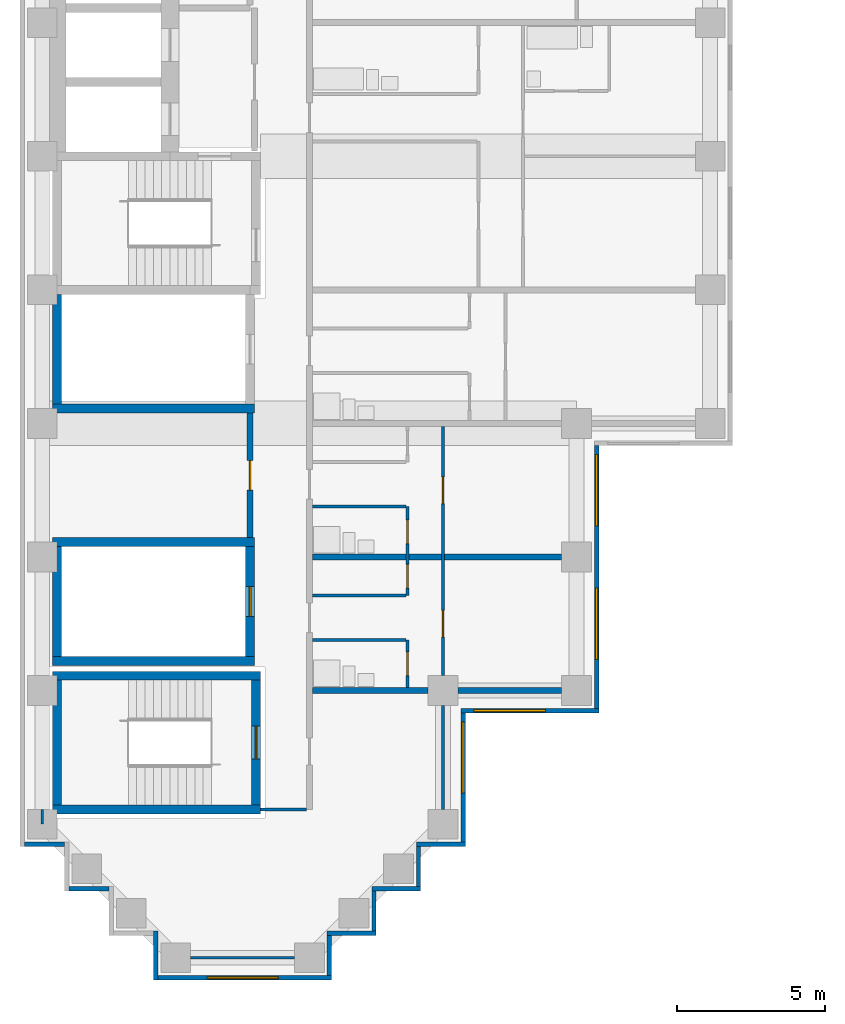
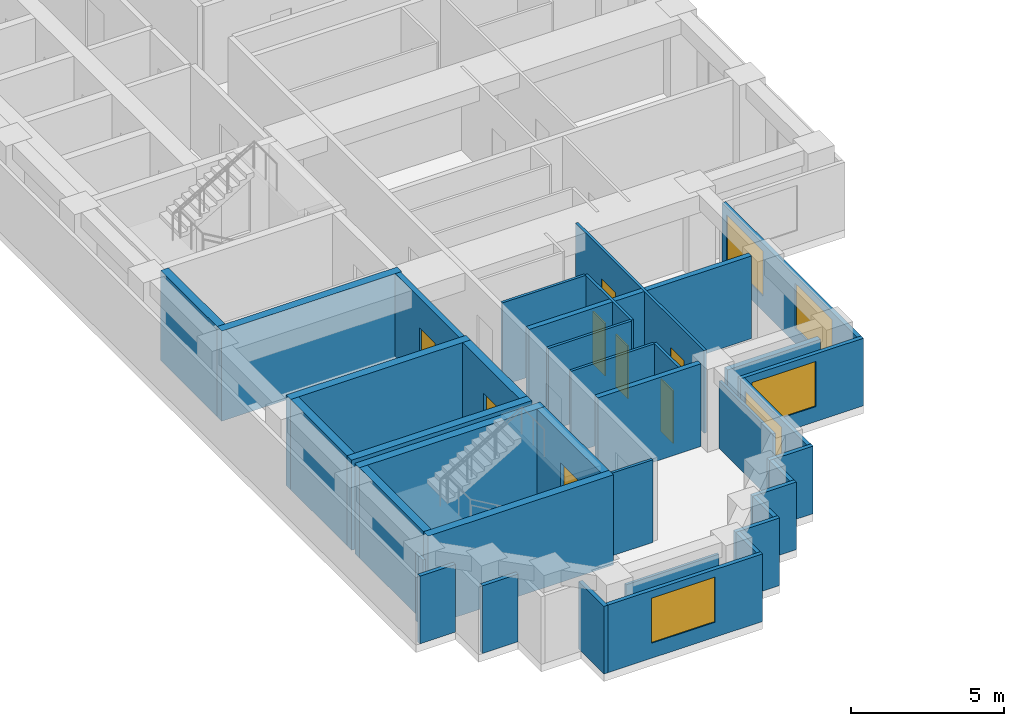
# One storey, part 2 of 12: 37 walls, 8 doors, 5 windows, 13 openings.
"""IFC4 building model written with IfcOpenShell, lengths in metres."""

from ifc_helpers import new_model, si_unit, direction, frame, frame_2d, origin, place, context, subcontext, project, spatial, rectangle, extrude, material, layer, layer_set, type_object, element, fill, save


model = new_model("IFC4")

# Units and contexts
model_context = context("Model", 3, precision=1e-05, world=origin(), true_north=direction((0.0, 1.0)))
body_context = subcontext(model_context, "Body", "Model", "MODEL_VIEW")
ifc_project = project(units=[si_unit("LENGTHUNIT", "METRE"), si_unit("AREAUNIT", "SQUARE_METRE"), si_unit("VOLUMEUNIT", "CUBIC_METRE"), si_unit("PLANEANGLEUNIT", "RADIAN"), si_unit("MASSUNIT", "GRAM", prefix="KILO")], contexts=[model_context])

# Site, building, storey
site_placement = place(None, origin())
site = spatial("IfcSite", under=ifc_project, at=site_placement, CompositionType="ELEMENT")
building_placement = place(site_placement, origin())
building = spatial("IfcBuilding", under=site, at=building_placement, Name="Firuza Court", CompositionType="ELEMENT")
storey_placement = place(building_placement, frame((0.0, 0.0, 152.0)))
storey = spatial("IfcBuildingStorey", under=building, at=storey_placement, Name="L38", CompositionType="ELEMENT", Elevation=152.0)

# Walls
ifc_material_1 = material(Name="Moisture-resistant gypsum board partition")
ifc_layer_1 = layer(ifc_material_1, 0.10009765625)
ifc_layer_set_1 = layer_set([ifc_layer_1], Name="Moisture-resistant gypsum board partition")
wall_type_1 = type_object("IfcWallType", Name="Bathroom partition 100", PredefinedType="PLUMBINGWALL", material=ifc_layer_set_1)
for number, where, z_axis, x_axis, name in (
    (1, (9.10009765625, 10.699951171875, 0.0), (0.0, 0.0, 1.0), (1.0, 0.0, 0.0), "Bathroom partition 100 L38"),
    (2, (9.10009765625, 15.199951171875, 0.0), (0.0, 0.0, 1.0), (1.0, 0.0, 0.0), "Bathroom partition 100 L38"),
):
    element("IfcWall", number, at=place(storey_placement, frame(where, z_axis=z_axis, x_axis=x_axis)), inside=storey, type_object=wall_type_1, Name=name, PredefinedType="PLUMBINGWALL", context=body_context, shape_type="SweptSolid", body=[
        extrude(rectangle(XDim=3.14990234375, YDim=0.10009765625, at=frame_2d((1.574951171875, 0.0))), origin(), (0.0, 0.0, 1.0), 3.300048828125),
    ])
ifc_material_2 = material(Name="Concrete C60/75", Category="concrete")
ifc_layer_2 = layer(ifc_material_2, 0.300048828125)
ifc_layer_set_2 = layer_set([ifc_layer_2], Name="Concrete C60/75")
wall_type_2 = type_object("IfcWallType", Name="Core wall 300 C60/75", PredefinedType="SHEAR", material=ifc_layer_set_2)
for number, where, z_axis, x_axis, name in (
    (3, (0.35009765625, 5.0, -0.300048828125), (0.0, 0.0, 1.0), (1.0, 0.0, 0.0), "Core wall stair L38"),
    (4, (0.35009765625, 9.5, -0.300048828125), (0.0, 0.0, 1.0), (1.0, 0.0, 0.0), "Core wall stair L38"),
):
    element("IfcWall", number, at=place(storey_placement, frame(where, z_axis=z_axis, x_axis=x_axis)), inside=storey, type_object=wall_type_2, Name=name, PredefinedType="SHEAR", context=body_context, shape_type="SweptSolid", body=[
        extrude(rectangle(XDim=7.0, YDim=0.300048828125, at=frame_2d((3.5, 0.0))), origin(), (0.0, 0.0, 1.0), 3.60009765625),
    ])
for number, where, z_axis, x_axis, name in (
    (5, (0.35009765625, 10.0, -0.300048828125), (0.0, 0.0, 1.0), (1.0, 0.0, 0.0), "Core wall riser L38"),
    (6, (0.35009765625, 14.0, -0.300048828125), (0.0, 0.0, 1.0), (1.0, 0.0, 0.0), "Core wall riser L38"),
    (7, (0.35009765625, 18.5, -0.300048828125), (0.0, 0.0, 1.0), (1.0, 0.0, 0.0), "Core wall riser L38"),
):
    element("IfcWall", number, at=place(storey_placement, frame(where, z_axis=z_axis, x_axis=x_axis)), inside=storey, type_object=wall_type_2, Name=name, PredefinedType="SHEAR", context=body_context, shape_type="SweptSolid", body=[
        extrude(rectangle(XDim=6.7998046875, YDim=0.300048828125, at=frame_2d((3.39990234375, 0.0))), origin(), (0.0, 0.0, 1.0), 3.60009765625),
    ])
wall_1_placement = place(storey_placement, frame((0.5, 5.14990234375, -0.300048828125), z_axis=(0.0, 0.0, 1.0), x_axis=(0.0, 1.0, 0.0)))
element("IfcWall", 8, at=wall_1_placement, inside=storey, type_object=wall_type_2, Name="Core wall stair L38", PredefinedType="SHEAR", context=body_context, shape_type="SweptSolid", body=[
    extrude(rectangle(XDim=4.2001953125, YDim=0.300048828125, at=frame_2d((2.10009765625, 0.0))), origin(), (0.0, 0.0, 1.0), 3.60009765625),
])
for number, where, z_axis, x_axis, name in (
    (9, (0.5, 10.14990234375, -0.300048828125), (0.0, 0.0, 1.0), (0.0, 1.0, 0.0), "Core wall riser L38"),
    (10, (0.5, 18.64990234375, -0.300048828125), (0.0, 0.0, 1.0), (0.0, 1.0, 0.0), "Core wall riser L38"),
):
    element("IfcWall", number, at=place(storey_placement, frame(where, z_axis=z_axis, x_axis=x_axis)), inside=storey, type_object=wall_type_2, Name=name, PredefinedType="SHEAR", context=body_context, shape_type="SweptSolid", body=[
        extrude(rectangle(XDim=3.7001953125, YDim=0.300048828125, at=frame_2d((1.85009765625, 0.0))), origin(), (0.0, 0.0, 1.0), 3.60009765625),
    ])

# Wall, opening, door
wall_2_placement = place(storey_placement, frame((7.0, 10.14990234375, -0.300048828125), z_axis=(0.0, 0.0, 1.0), x_axis=(0.0, 1.0, 0.0)))
wall_2 = element("IfcWall", 11, at=wall_2_placement, inside=storey, type_object=wall_type_2, Name="Core wall riser L38", PredefinedType="SHEAR", context=body_context, shape_type="SweptSolid", body=[
    extrude(rectangle(XDim=3.7001953125, YDim=0.300048828125, at=frame_2d((1.85009765625, 0.0))), origin(), (0.0, 0.0, 1.0), 3.60009765625),
])
opening_1_placement = place(wall_2_placement, frame((1.35009765625, 0.0, 0.300048828125)))
opening_1 = element("IfcOpeningElement", 12, at=opening_1_placement, cuts=wall_2, Name="Opening D38011", PredefinedType="OPENING", context=body_context, shape_type="SweptSolid", body=[
    extrude(rectangle(XDim=1.0, YDim=2.10009765625, at=frame_2d((0.5, 1.050048828125))), frame((0.0, 0.162109375, 0.0), z_axis=(0.0, -1.0, 0.0), x_axis=(1.0, 0.0, 0.0)), (0.0, 0.0, 1.0), 0.323974609375),
])
ifc_material_3 = material(Name="Timber door leaf in hardwood frame", Category="wood")
door_type_1 = type_object("IfcDoorType", Name="Riser door 1000", OperationType="SINGLE_SWING_LEFT", PredefinedType="DOOR", material=ifc_material_3)
door_1_placement = place(opening_1_placement, origin())
door_1 = element("IfcDoor", 13, at=door_1_placement, inside=storey, type_object=door_type_1, Name="Riser door R4", OperationType="SINGLE_SWING_LEFT", OverallHeight=2.10009765625, OverallWidth=1.0, PredefinedType="DOOR", context=body_context, shape_type="SweptSolid", body=[
    extrude(rectangle(XDim=1.0, YDim=2.10009765625, at=frame_2d((0.5, 1.050048828125))), frame((0.0, 0.02490234375, 0.0), z_axis=(0.0, -1.0, 0.0), x_axis=(1.0, 0.0, 0.0)), (0.0, 0.0, 1.0), 0.050048828125),
])
fill(opening_1, door_1)

wall_3_placement = place(storey_placement, frame((7.199951171875, 5.14990234375, -0.300048828125), z_axis=(0.0, 0.0, 1.0), x_axis=(0.0, 1.0, 0.0)))
wall_3 = element("IfcWall", 14, at=wall_3_placement, inside=storey, type_object=wall_type_2, Name="Core wall stair L38", PredefinedType="SHEAR", context=body_context, shape_type="SweptSolid", body=[
    extrude(rectangle(XDim=4.2001953125, YDim=0.300048828125, at=frame_2d((2.10009765625, 0.0))), origin(), (0.0, 0.0, 1.0), 3.60009765625),
])
opening_2_placement = place(wall_3_placement, frame((1.550048828125, 0.0, 0.300048828125)))
opening_2 = element("IfcOpeningElement", 15, at=opening_2_placement, cuts=wall_3, Name="Opening D38017", PredefinedType="OPENING", context=body_context, shape_type="SweptSolid", body=[
    extrude(rectangle(XDim=1.10009765625, YDim=2.10009765625, at=frame_2d((0.550048828125, 1.050048828125))), frame((0.0, 0.162109375, 0.0), z_axis=(0.0, -1.0, 0.0), x_axis=(1.0, 0.0, 0.0)), (0.0, 0.0, 1.0), 0.323974609375),
])
ifc_material_4 = material(Name="Timber door leaf in hardwood frame", Category="wood")
door_type_2 = type_object("IfcDoorType", Name="Stair door 1100", OperationType="SINGLE_SWING_LEFT", PredefinedType="DOOR", material=ifc_material_4)
door_2_placement = place(opening_2_placement, origin())
door_2 = element("IfcDoor", 16, at=door_2_placement, inside=storey, type_object=door_type_2, Name="Stair door S5", OperationType="SINGLE_SWING_LEFT", OverallHeight=2.10009765625, OverallWidth=1.10009765625, PredefinedType="DOOR", context=body_context, shape_type="SweptSolid", body=[
    extrude(rectangle(XDim=1.10009765625, YDim=2.10009765625, at=frame_2d((0.550048828125, 1.050048828125))), frame((0.0, 0.02490234375, 0.0), z_axis=(0.0, -1.0, 0.0), x_axis=(1.0, 0.0, 0.0)), (0.0, 0.0, 1.0), 0.050048828125),
])
fill(opening_2, door_2)

ifc_material_5 = material(Name="Blockwork, plastered both sides", Category="masonry")
ifc_layer_3 = layer(ifc_material_5, 0.199951171875)
ifc_layer_set_3 = layer_set([ifc_layer_3], Name="Blockwork, plastered both sides")
wall_type_3 = type_object("IfcWallType", Name="Corridor wall 200", PredefinedType="PARTITIONING", material=ifc_layer_set_3)
wall_4_placement = place(storey_placement, frame((7.0, 14.14990234375, 0.0), z_axis=(0.0, 0.0, 1.0), x_axis=(0.0, 1.0, 0.0)))
wall_4 = element("IfcWall", 17, at=wall_4_placement, inside=storey, type_object=wall_type_3, Name="Corridor wall 200 L38", PredefinedType="PARTITIONING", context=body_context, shape_type="SweptSolid", body=[
    extrude(rectangle(XDim=4.2001953125, YDim=0.199951171875, at=frame_2d((2.10009765625, 0.0))), origin(), (0.0, 0.0, 1.0), 3.300048828125),
])
opening_3_placement = place(wall_4_placement, frame((1.60009765625, 0.0, 0.0)))
opening_3 = element("IfcOpeningElement", 18, at=opening_3_placement, cuts=wall_4, Name="Opening D38028", PredefinedType="OPENING", context=body_context, shape_type="SweptSolid", body=[
    extrude(rectangle(XDim=1.0, YDim=2.10009765625, at=frame_2d((0.5, 1.050048828125))), frame((0.0, 0.11181640625, 0.0), z_axis=(0.0, -1.0, 0.0), x_axis=(1.0, 0.0, 0.0)), (0.0, 0.0, 1.0), 0.223876953125),
])
ifc_material_6 = material(Name="Timber door leaf in hardwood frame", Category="wood")
door_type_3 = type_object("IfcDoorType", Name="Store door 1000", OperationType="SINGLE_SWING_LEFT", PredefinedType="DOOR", material=ifc_material_6)
door_3_placement = place(opening_3_placement, origin())
door_3 = element("IfcDoor", 19, at=door_3_placement, inside=storey, type_object=door_type_3, Name="Parcel room door", OperationType="SINGLE_SWING_LEFT", OverallHeight=2.10009765625, OverallWidth=1.0, PredefinedType="DOOR", context=body_context, shape_type="SweptSolid", body=[
    extrude(rectangle(XDim=1.0, YDim=2.10009765625, at=frame_2d((0.5, 1.050048828125))), frame((0.0, 0.02490234375, 0.0), z_axis=(0.0, -1.0, 0.0), x_axis=(1.0, 0.0, 0.0)), (0.0, 0.0, 1.0), 0.050048828125),
])
fill(opening_3, door_3)

# Walls
ifc_material_7 = material(Name="Timber stud partition, plasterboard both sides", Category="wood")
ifc_layer_4 = layer(ifc_material_7, 0.10009765625)
ifc_layer_set_4 = layer_set([ifc_layer_4], Name="Timber stud partition, plasterboard both sides")
wall_type_4 = type_object("IfcWallType", Name="Partition wall 100", PredefinedType="PARTITIONING", material=ifc_layer_set_4)
wall_5_placement = place(storey_placement, frame((5.0, 0.0, 0.0), z_axis=(0.0, 0.0, 1.0), x_axis=(1.0, 0.0, 0.0)))
element("IfcWall", 20, at=wall_5_placement, inside=storey, type_object=wall_type_4, Name="Partition wall 100 L38", PredefinedType="PARTITIONING", context=body_context, shape_type="SweptSolid", body=[
    extrude(rectangle(XDim=3.5, YDim=0.10009765625, at=frame_2d((1.75, 0.0))), origin(), (0.0, 0.0, 1.0), 2.699951171875),
])
wall_6_placement = place(storey_placement, frame((0.0, 4.5, 0.0), z_axis=(0.0, 0.0, 1.0), x_axis=(0.0, 1.0, 0.0)))
element("IfcWall", 21, at=wall_6_placement, inside=storey, type_object=wall_type_4, Name="Partition wall 100 L38", PredefinedType="PARTITIONING", context=body_context, shape_type="SweptSolid", body=[
    extrude(rectangle(XDim=0.5, YDim=0.10009765625, at=frame_2d((0.25, 0.0))), origin(), (0.0, 0.0, 1.0), 2.699951171875),
])
wall_7_placement = place(storey_placement, frame((7.34912109375, 5.0, 0.0), z_axis=(0.0, 0.0, 1.0), x_axis=(1.0, 0.0, 0.0)))
element("IfcWall", 22, at=wall_7_placement, inside=storey, type_object=wall_type_4, Name="Partition wall 100 L38", PredefinedType="PARTITIONING", context=body_context, shape_type="SweptSolid", body=[
    extrude(rectangle(XDim=1.55078125, YDim=0.10009765625, at=frame_2d((0.775390625, 0.0))), origin(), (0.0, 0.0, 1.0), 3.300048828125),
])
wall_8_placement = place(storey_placement, frame((13.5, 5.0, 0.0), z_axis=(0.0, 0.0, 1.0), x_axis=(0.0, 1.0, 0.0)))
element("IfcWall", 23, at=wall_8_placement, inside=storey, type_object=wall_type_4, Name="Partition wall 100 L38", PredefinedType="PARTITIONING", context=body_context, shape_type="SweptSolid", body=[
    extrude(rectangle(XDim=3.5, YDim=0.10009765625, at=frame_2d((1.75, 0.0))), origin(), (0.0, 0.0, 1.0), 2.699951171875),
])

# Wall, opening, door
wall_9_placement = place(storey_placement, frame((12.300048828125, 9.10009765625, 0.0), z_axis=(0.0, 0.0, 1.0), x_axis=(0.0, 1.0, 0.0)))
wall_9 = element("IfcWall", 24, at=wall_9_placement, inside=storey, type_object=wall_type_4, Name="Partition wall 100 L38", PredefinedType="PARTITIONING", context=body_context, shape_type="SweptSolid", body=[
    extrude(rectangle(XDim=1.599853515625, YDim=0.10009765625, at=frame_2d((0.7998046875, 0.0))), origin(), (0.0, 0.0, 1.0), 3.300048828125),
])
opening_4_placement = place(wall_9_placement, frame((0.39990234375, 0.0, 0.0)))
opening_4 = element("IfcOpeningElement", 25, at=opening_4_placement, cuts=wall_9, Name="Opening D38023", PredefinedType="OPENING", context=body_context, shape_type="SweptSolid", body=[
    extrude(rectangle(XDim=0.800048828125, YDim=2.10009765625, at=frame_2d((0.39990234375, 1.050048828125))), frame((0.0, 0.06201171875, 0.0), z_axis=(0.0, -1.0, 0.0), x_axis=(1.0, 0.0, 0.0)), (0.0, 0.0, 1.0), 0.1240234375),
])
ifc_material_8 = material(Name="Timber door leaf in hardwood frame", Category="wood")
door_type_4 = type_object("IfcDoorType", Name="Bathroom door 800", OperationType="SINGLE_SWING_LEFT", PredefinedType="DOOR", material=ifc_material_8)
door_4_placement = place(opening_4_placement, origin())
door_4 = element("IfcDoor", 26, at=door_4_placement, inside=storey, type_object=door_type_4, Name="Bathroom door", OperationType="SINGLE_SWING_RIGHT", OverallHeight=2.10009765625, OverallWidth=0.800048828125, PredefinedType="DOOR", context=body_context, shape_type="SweptSolid", body=[
    extrude(rectangle(XDim=0.800048828125, YDim=2.10009765625, at=frame_2d((0.39990234375, 1.050048828125))), frame((0.0, 0.02490234375, 0.0), z_axis=(0.0, -1.0, 0.0), x_axis=(1.0, 0.0, 0.0)), (0.0, 0.0, 1.0), 0.050048828125),
])
fill(opening_4, door_4)

# Wall, openings, doors
wall_10_placement = place(storey_placement, frame((13.5, 9.5, 0.0), z_axis=(0.0, 0.0, 1.0), x_axis=(0.0, 1.0, 0.0)))
wall_10 = element("IfcWall", 27, at=wall_10_placement, inside=storey, type_object=wall_type_4, Name="Partition wall 100 L38", PredefinedType="PARTITIONING", context=body_context, shape_type="SweptSolid", body=[
    extrude(rectangle(XDim=8.39990234375, YDim=0.10009765625, at=frame_2d((4.199951171875, 0.0))), origin(), (0.0, 0.0, 1.0), 3.300048828125),
])
opening_5_placement = place(wall_10_placement, frame((5.800048828125, 0.0, 0.0)))
opening_5 = element("IfcOpeningElement", 28, at=opening_5_placement, cuts=wall_10, Name="Opening D38024", PredefinedType="OPENING", context=body_context, shape_type="SweptSolid", body=[
    extrude(rectangle(XDim=0.89990234375, YDim=2.10009765625, at=frame_2d((0.449951171875, 1.050048828125))), frame((0.0, 0.06201171875, 0.0), z_axis=(0.0, -1.0, 0.0), x_axis=(1.0, 0.0, 0.0)), (0.0, 0.0, 1.0), 0.1240234375),
])
opening_6_placement = place(wall_10_placement, frame((1.300048828125, 0.0, 0.0)))
opening_6 = element("IfcOpeningElement", 29, at=opening_6_placement, cuts=wall_10, Name="Opening D38025", PredefinedType="OPENING", context=body_context, shape_type="SweptSolid", body=[
    extrude(rectangle(XDim=0.89990234375, YDim=2.10009765625, at=frame_2d((0.449951171875, 1.050048828125))), frame((0.0, 0.06201171875, 0.0), z_axis=(0.0, -1.0, 0.0), x_axis=(1.0, 0.0, 0.0)), (0.0, 0.0, 1.0), 0.1240234375),
])
ifc_material_9 = material(Name="Timber door leaf in hardwood frame", Category="wood")
door_type_5 = type_object("IfcDoorType", Name="Room door 900", OperationType="SINGLE_SWING_LEFT", PredefinedType="DOOR", material=ifc_material_9)
door_5_placement = place(opening_5_placement, frame((0.89990234375, 0.0, 0.0), z_axis=(0.0, 0.0, 1.0), x_axis=(-1.0, 0.0, 0.0)))
door_5 = element("IfcDoor", 30, at=door_5_placement, inside=storey, type_object=door_type_5, Name="Studio room door", OperationType="SINGLE_SWING_RIGHT", OverallHeight=2.10009765625, OverallWidth=0.89990234375, PredefinedType="DOOR", context=body_context, shape_type="SweptSolid", body=[
    extrude(rectangle(XDim=0.89990234375, YDim=2.10009765625, at=frame_2d((0.449951171875, 1.050048828125))), frame((0.0, 0.02490234375, 0.0), z_axis=(0.0, -1.0, 0.0), x_axis=(1.0, 0.0, 0.0)), (0.0, 0.0, 1.0), 0.050048828125),
])
fill(opening_5, door_5)
door_6_placement = place(opening_6_placement, frame((0.89990234375, 0.0, 0.0), z_axis=(0.0, 0.0, 1.0), x_axis=(-1.0, 0.0, 0.0)))
door_6 = element("IfcDoor", 31, at=door_6_placement, inside=storey, type_object=door_type_5, Name="Studio room door", OperationType="SINGLE_SWING_RIGHT", OverallHeight=2.10009765625, OverallWidth=0.89990234375, PredefinedType="DOOR", context=body_context, shape_type="SweptSolid", body=[
    extrude(rectangle(XDim=0.89990234375, YDim=2.10009765625, at=frame_2d((0.449951171875, 1.050048828125))), frame((0.0, 0.02490234375, 0.0), z_axis=(0.0, -1.0, 0.0), x_axis=(1.0, 0.0, 0.0)), (0.0, 0.0, 1.0), 0.050048828125),
])
fill(opening_6, door_6)

# Wall
wall_11_placement = place(storey_placement, frame((9.10009765625, 12.199951171875, 0.0), z_axis=(0.0, 0.0, 1.0), x_axis=(1.0, 0.0, 0.0)))
element("IfcWall", 32, at=wall_11_placement, inside=storey, type_object=wall_type_4, Name="Partition wall 100 L38", PredefinedType="PARTITIONING", context=body_context, shape_type="SweptSolid", body=[
    extrude(rectangle(XDim=3.14990234375, YDim=0.10009765625, at=frame_2d((1.574951171875, 0.0))), origin(), (0.0, 0.0, 1.0), 3.300048828125),
])

# Wall, openings, doors
wall_12_placement = place(storey_placement, frame((12.300048828125, 12.199951171875, 0.0), z_axis=(0.0, 0.0, 1.0), x_axis=(0.0, 1.0, 0.0)))
wall_12 = element("IfcWall", 33, at=wall_12_placement, inside=storey, type_object=wall_type_4, Name="Partition wall 100 L38", PredefinedType="PARTITIONING", context=body_context, shape_type="SweptSolid", body=[
    extrude(rectangle(XDim=3.0, YDim=0.10009765625, at=frame_2d((1.5, 0.0))), origin(), (0.0, 0.0, 1.0), 3.300048828125),
])
opening_7_placement = place(wall_12_placement, frame((1.75, 0.0, 0.0)))
opening_7 = element("IfcOpeningElement", 34, at=opening_7_placement, cuts=wall_12, Name="Opening D38026", PredefinedType="OPENING", context=body_context, shape_type="SweptSolid", body=[
    extrude(rectangle(XDim=0.800048828125, YDim=2.10009765625, at=frame_2d((0.39990234375, 1.050048828125))), frame((0.0, 0.06201171875, 0.0), z_axis=(0.0, -1.0, 0.0), x_axis=(1.0, 0.0, 0.0)), (0.0, 0.0, 1.0), 0.1240234375),
])
opening_8_placement = place(wall_12_placement, frame((0.25, 0.0, 0.0)))
opening_8 = element("IfcOpeningElement", 35, at=opening_8_placement, cuts=wall_12, Name="Opening D38027", PredefinedType="OPENING", context=body_context, shape_type="SweptSolid", body=[
    extrude(rectangle(XDim=0.800048828125, YDim=2.10009765625, at=frame_2d((0.39990234375, 1.050048828125))), frame((0.0, 0.06201171875, 0.0), z_axis=(0.0, -1.0, 0.0), x_axis=(1.0, 0.0, 0.0)), (0.0, 0.0, 1.0), 0.1240234375),
])
door_7_placement = place(opening_7_placement, origin())
door_7 = element("IfcDoor", 36, at=door_7_placement, inside=storey, type_object=door_type_4, Name="Bathroom door", OperationType="SINGLE_SWING_LEFT", OverallHeight=2.10009765625, OverallWidth=0.800048828125, PredefinedType="DOOR", context=body_context, shape_type="SweptSolid", body=[
    extrude(rectangle(XDim=0.800048828125, YDim=2.10009765625, at=frame_2d((0.39990234375, 1.050048828125))), frame((0.0, 0.02490234375, 0.0), z_axis=(0.0, -1.0, 0.0), x_axis=(1.0, 0.0, 0.0)), (0.0, 0.0, 1.0), 0.050048828125),
])
fill(opening_7, door_7)
ifc_material_10 = material(Name="Timber door leaf in hardwood frame", Category="wood")
door_type_6 = type_object("IfcDoorType", Name="Room door 800", OperationType="SINGLE_SWING_LEFT", PredefinedType="DOOR", material=ifc_material_10)
door_8_placement = place(opening_8_placement, origin())
door_8 = element("IfcDoor", 37, at=door_8_placement, inside=storey, type_object=door_type_6, Name="Kitchen door", OperationType="SINGLE_SWING_LEFT", OverallHeight=2.10009765625, OverallWidth=0.800048828125, PredefinedType="DOOR", context=body_context, shape_type="SweptSolid", body=[
    extrude(rectangle(XDim=0.800048828125, YDim=2.10009765625, at=frame_2d((0.39990234375, 1.050048828125))), frame((0.0, 0.02490234375, 0.0), z_axis=(0.0, -1.0, 0.0), x_axis=(1.0, 0.0, 0.0)), (0.0, 0.0, 1.0), 0.050048828125),
])
fill(opening_8, door_8)

# Walls
ifc_layer_5 = layer(ifc_material_5, 0.199951171875)
ifc_layer_set_5 = layer_set([ifc_layer_5], Name="Blockwork, plastered both sides")
wall_type_5 = type_object("IfcWallType", Name="Party wall 200", PredefinedType="PARTITIONING", material=ifc_layer_set_5)
wall_13_placement = place(storey_placement, frame((9.10009765625, 9.0, 0.0), z_axis=(0.0, 0.0, 1.0), x_axis=(1.0, 0.0, 0.0)))
element("IfcWall", 38, at=wall_13_placement, inside=storey, type_object=wall_type_5, Name="Party wall 200 L38", PredefinedType="PARTITIONING", context=body_context, shape_type="SweptSolid", body=[
    extrude(rectangle(XDim=3.89990234375, YDim=0.199951171875, at=frame_2d((1.949951171875, 0.0))), origin(), (0.0, 0.0, 1.0), 3.300048828125),
])
wall_14_placement = place(storey_placement, frame((14.0, 9.0, 0.0), z_axis=(0.0, 0.0, 1.0), x_axis=(1.0, 0.0, 0.0)))
element("IfcWall", 39, at=wall_14_placement, inside=storey, type_object=wall_type_5, Name="Party wall 200 L38", PredefinedType="PARTITIONING", context=body_context, shape_type="SweptSolid", body=[
    extrude(rectangle(XDim=3.5, YDim=0.199951171875, at=frame_2d((1.75, 0.0))), origin(), (0.0, 0.0, 1.0), 2.699951171875),
])
wall_15_placement = place(storey_placement, frame((9.10009765625, 13.5, 0.0), z_axis=(0.0, 0.0, 1.0), x_axis=(1.0, 0.0, 0.0)))
element("IfcWall", 40, at=wall_15_placement, inside=storey, type_object=wall_type_5, Name="Party wall 200 L38", PredefinedType="PARTITIONING", context=body_context, shape_type="SweptSolid", body=[
    extrude(rectangle(XDim=8.39990234375, YDim=0.199951171875, at=frame_2d((4.199951171875, 0.0))), origin(), (0.0, 0.0, 1.0), 3.300048828125),
])
ifc_material_11 = material(Name="Ceramic tile", Category="ceramic")
ifc_layer_6 = layer(ifc_material_11, 0.02001953125)
ifc_material_12 = material(Name="Mineral wool insulation", Category="insulation")
ifc_layer_7 = layer(ifc_material_12, 0.050048828125)
ifc_material_13 = material(Name="Concrete C40/50 precast", Category="concrete")
ifc_layer_8 = layer(ifc_material_13, 0.080078125)
ifc_layer_set_6 = layer_set([ifc_layer_6, ifc_layer_7, ifc_layer_8], Name="Concrete C40/50 precast")
wall_type_6 = type_object("IfcWallType", Name="Precast cladding wall with turquoise TILE PANEL face 150", PredefinedType="STANDARD", material=ifc_layer_set_6)
wall_16_placement = place(storey_placement, frame((9.675048828125, -0.60009765625, 0.0), z_axis=(0.0, 0.0, 1.0), x_axis=(0.0, 1.0, 0.0)))
element("IfcWall", 41, at=wall_16_placement, inside=storey, type_object=wall_type_6, Name="Facade wall L38 E", PredefinedType="STANDARD", context=body_context, shape_type="SweptSolid", body=[
    extrude(rectangle(XDim=1.35009765625, YDim=0.14990234375, at=frame_2d((0.675048828125, 0.0))), origin(), (0.0, 0.0, 1.0), 2.699951171875),
])
wall_17_placement = place(storey_placement, frame((9.60009765625, 0.824951171875, 0.0), z_axis=(0.0, 0.0, 1.0), x_axis=(1.0, 0.0, 0.0)))
element("IfcWall", 42, at=wall_17_placement, inside=storey, type_object=wall_type_6, Name="Facade wall L38 S", PredefinedType="STANDARD", context=body_context, shape_type="SweptSolid", body=[
    extrude(rectangle(XDim=1.64990234375, YDim=0.14990234375, at=frame_2d((0.824951171875, 0.0))), origin(), (0.0, 0.0, 1.0), 2.699951171875),
])
wall_18_placement = place(storey_placement, frame((11.175048828125, 0.89990234375, 0.0), z_axis=(0.0, 0.0, 1.0), x_axis=(0.0, 1.0, 0.0)))
element("IfcWall", 43, at=wall_18_placement, inside=storey, type_object=wall_type_6, Name="Facade wall L38 E", PredefinedType="STANDARD", context=body_context, shape_type="SweptSolid", body=[
    extrude(rectangle(XDim=1.35009765625, YDim=0.14990234375, at=frame_2d((0.675048828125, 0.0))), origin(), (0.0, 0.0, 1.0), 2.699951171875),
])
wall_19_placement = place(storey_placement, frame((11.10009765625, 2.324951171875, 0.0), z_axis=(0.0, 0.0, 1.0), x_axis=(1.0, 0.0, 0.0)))
element("IfcWall", 44, at=wall_19_placement, inside=storey, type_object=wall_type_6, Name="Facade wall L38 S", PredefinedType="STANDARD", context=body_context, shape_type="SweptSolid", body=[
    extrude(rectangle(XDim=1.64990234375, YDim=0.14990234375, at=frame_2d((0.824951171875, 0.0))), origin(), (0.0, 0.0, 1.0), 2.699951171875),
])
wall_20_placement = place(storey_placement, frame((12.675048828125, 2.39990234375, 0.0), z_axis=(0.0, 0.0, 1.0), x_axis=(0.0, 1.0, 0.0)))
element("IfcWall", 45, at=wall_20_placement, inside=storey, type_object=wall_type_6, Name="Facade wall L38 E", PredefinedType="STANDARD", context=body_context, shape_type="SweptSolid", body=[
    extrude(rectangle(XDim=1.35009765625, YDim=0.14990234375, at=frame_2d((0.675048828125, 0.0))), origin(), (0.0, 0.0, 1.0), 2.699951171875),
])
wall_21_placement = place(storey_placement, frame((12.60009765625, 3.824951171875, 0.0), z_axis=(0.0, 0.0, 1.0), x_axis=(1.0, 0.0, 0.0)))
element("IfcWall", 46, at=wall_21_placement, inside=storey, type_object=wall_type_6, Name="Facade wall L38 S", PredefinedType="STANDARD", context=body_context, shape_type="SweptSolid", body=[
    extrude(rectangle(XDim=1.64990234375, YDim=0.14990234375, at=frame_2d((0.824951171875, 0.0))), origin(), (0.0, 0.0, 1.0), 2.699951171875),
])

# Wall, opening, window
wall_22_placement = place(storey_placement, frame((14.175048828125, 3.89990234375, 0.0), z_axis=(0.0, 0.0, 1.0), x_axis=(0.0, 1.0, 0.0)))
wall_22 = element("IfcWall", 47, at=wall_22_placement, inside=storey, type_object=wall_type_6, Name="Facade wall L38 E", PredefinedType="STANDARD", context=body_context, shape_type="SweptSolid", body=[
    extrude(rectangle(XDim=4.35009765625, YDim=0.14990234375, at=frame_2d((2.175048828125, 0.0))), origin(), (0.0, 0.0, 1.0), 2.699951171875),
])
opening_9_placement = place(wall_22_placement, frame((1.64990234375, 0.0, 0.60009765625)))
opening_9 = element("IfcOpeningElement", 48, at=opening_9_placement, cuts=wall_22, Name="Opening W1", PredefinedType="OPENING", context=body_context, shape_type="SweptSolid", body=[
    extrude(rectangle(XDim=2.39990234375, YDim=1.800048828125, at=frame_2d((1.199951171875, 0.89990234375))), frame((0.0, 0.0869140625, 0.0), z_axis=(0.0, -1.0, 0.0), x_axis=(1.0, 0.0, 0.0)), (0.0, 0.0, 1.0), 0.173828125),
])
ifc_material_14 = material(Name="Aluminium frame, triple clear glazing", Category="aluminium")
window_type = type_object("IfcWindowType", Name="Window W1 2400 x 1800", PartitioningType="SINGLE_PANEL", PredefinedType="WINDOW", material=ifc_material_14)
window_1_placement = place(opening_9_placement, origin())
window_1 = element("IfcWindow", 49, at=window_1_placement, inside=storey, type_object=window_type, Name="Window L38", OverallHeight=1.800048828125, OverallWidth=2.39990234375, PartitioningType="SINGLE_PANEL", PredefinedType="WINDOW", context=body_context, shape_type="SweptSolid", body=[
    extrude(rectangle(XDim=2.39990234375, YDim=1.800048828125, at=frame_2d((1.199951171875, 0.89990234375))), frame((0.0, 0.030029296875, 0.0), z_axis=(0.0, -1.0, 0.0), x_axis=(1.0, 0.0, 0.0)), (0.0, 0.0, 1.0), 0.06005859375),
])
fill(opening_9, window_1)

wall_23_placement = place(storey_placement, frame((14.10009765625, 8.324951171875, 0.0), z_axis=(0.0, 0.0, 1.0), x_axis=(1.0, 0.0, 0.0)))
wall_23 = element("IfcWall", 50, at=wall_23_placement, inside=storey, type_object=wall_type_6, Name="Facade wall L38 S", PredefinedType="STANDARD", context=body_context, shape_type="SweptSolid", body=[
    extrude(rectangle(XDim=4.64990234375, YDim=0.14990234375, at=frame_2d((2.324951171875, 0.0))), origin(), (0.0, 0.0, 1.0), 2.699951171875),
])
opening_10_placement = place(wall_23_placement, frame((0.449951171875, 0.0, 0.60009765625)))
opening_10 = element("IfcOpeningElement", 51, at=opening_10_placement, cuts=wall_23, Name="Opening W1", PredefinedType="OPENING", context=body_context, shape_type="SweptSolid", body=[
    extrude(rectangle(XDim=2.39990234375, YDim=1.800048828125, at=frame_2d((1.199951171875, 0.89990234375))), frame((0.0, 0.0869140625, 0.0), z_axis=(0.0, -1.0, 0.0), x_axis=(1.0, 0.0, 0.0)), (0.0, 0.0, 1.0), 0.173828125),
])
window_2_placement = place(opening_10_placement, origin())
window_2 = element("IfcWindow", 52, at=window_2_placement, inside=storey, type_object=window_type, Name="Window L38", OverallHeight=1.800048828125, OverallWidth=2.39990234375, PartitioningType="SINGLE_PANEL", PredefinedType="WINDOW", context=body_context, shape_type="SweptSolid", body=[
    extrude(rectangle(XDim=2.39990234375, YDim=1.800048828125, at=frame_2d((1.199951171875, 0.89990234375))), frame((0.0, 0.030029296875, 0.0), z_axis=(0.0, -1.0, 0.0), x_axis=(1.0, 0.0, 0.0)), (0.0, 0.0, 1.0), 0.06005859375),
])
fill(opening_10, window_2)

# Wall, openings, windows
wall_24_placement = place(storey_placement, frame((18.675048828125, 8.39990234375, 0.0), z_axis=(0.0, 0.0, 1.0), x_axis=(0.0, 1.0, 0.0)))
wall_24 = element("IfcWall", 53, at=wall_24_placement, inside=storey, type_object=wall_type_6, Name="Facade wall L38 E", PredefinedType="STANDARD", context=body_context, shape_type="SweptSolid", body=[
    extrude(rectangle(XDim=8.85009765625, YDim=0.14990234375, at=frame_2d((4.425048828125, 0.0))), origin(), (0.0, 0.0, 1.0), 2.699951171875),
])
opening_11_placement = place(wall_24_placement, frame((1.64990234375, 0.0, 0.60009765625)))
opening_11 = element("IfcOpeningElement", 54, at=opening_11_placement, cuts=wall_24, Name="Opening W1", PredefinedType="OPENING", context=body_context, shape_type="SweptSolid", body=[
    extrude(rectangle(XDim=2.39990234375, YDim=1.800048828125, at=frame_2d((1.199951171875, 0.89990234375))), frame((0.0, 0.0869140625, 0.0), z_axis=(0.0, -1.0, 0.0), x_axis=(1.0, 0.0, 0.0)), (0.0, 0.0, 1.0), 0.173828125),
])
opening_12_placement = place(wall_24_placement, frame((6.14990234375, 0.0, 0.60009765625)))
opening_12 = element("IfcOpeningElement", 55, at=opening_12_placement, cuts=wall_24, Name="Opening W1", PredefinedType="OPENING", context=body_context, shape_type="SweptSolid", body=[
    extrude(rectangle(XDim=2.39990234375, YDim=1.800048828125, at=frame_2d((1.199951171875, 0.89990234375))), frame((0.0, 0.0869140625, 0.0), z_axis=(0.0, -1.0, 0.0), x_axis=(1.0, 0.0, 0.0)), (0.0, 0.0, 1.0), 0.173828125),
])
window_3_placement = place(opening_11_placement, origin())
window_3 = element("IfcWindow", 56, at=window_3_placement, inside=storey, type_object=window_type, Name="Window L38", OverallHeight=1.800048828125, OverallWidth=2.39990234375, PartitioningType="SINGLE_PANEL", PredefinedType="WINDOW", context=body_context, shape_type="SweptSolid", body=[
    extrude(rectangle(XDim=2.39990234375, YDim=1.800048828125, at=frame_2d((1.199951171875, 0.89990234375))), frame((0.0, 0.030029296875, 0.0), z_axis=(0.0, -1.0, 0.0), x_axis=(1.0, 0.0, 0.0)), (0.0, 0.0, 1.0), 0.06005859375),
])
fill(opening_11, window_3)
window_4_placement = place(opening_12_placement, origin())
window_4 = element("IfcWindow", 57, at=window_4_placement, inside=storey, type_object=window_type, Name="Window L38", OverallHeight=1.800048828125, OverallWidth=2.39990234375, PartitioningType="SINGLE_PANEL", PredefinedType="WINDOW", context=body_context, shape_type="SweptSolid", body=[
    extrude(rectangle(XDim=2.39990234375, YDim=1.800048828125, at=frame_2d((1.199951171875, 0.89990234375))), frame((0.0, 0.030029296875, 0.0), z_axis=(0.0, -1.0, 0.0), x_axis=(1.0, 0.0, 0.0)), (0.0, 0.0, 1.0), 0.06005859375),
])
fill(opening_12, window_4)

# Walls
for number, where, z_axis, x_axis, name in (
    (58, (-0.60009765625, 3.824951171875, 0.0), (0.0, 0.0, 1.0), (1.0, 0.0, 0.0), "Facade wall L38 S"),
    (59, (0.89990234375, 2.324951171875, 0.0), (0.0, 0.0, 1.0), (1.0, 0.0, 0.0), "Facade wall L38 S"),
):
    element("IfcWall", number, at=place(storey_placement, frame(where, z_axis=z_axis, x_axis=x_axis)), inside=storey, type_object=wall_type_6, Name=name, PredefinedType="STANDARD", context=body_context, shape_type="SweptSolid", body=[
        extrude(rectangle(XDim=1.35009765625, YDim=0.14990234375, at=frame_2d((0.675048828125, 0.0))), origin(), (0.0, 0.0, 1.0), 2.699951171875),
    ])
wall_25_placement = place(storey_placement, frame((3.824951171875, 0.89990234375, 0.0), z_axis=(0.0, 0.0, 1.0), x_axis=(0.0, -1.0, 0.0)))
element("IfcWall", 60, at=wall_25_placement, inside=storey, type_object=wall_type_6, Name="Facade wall L38 W", PredefinedType="STANDARD", context=body_context, shape_type="SweptSolid", body=[
    extrude(rectangle(XDim=1.64990234375, YDim=0.14990234375, at=frame_2d((0.824951171875, 0.0))), origin(), (0.0, 0.0, 1.0), 2.699951171875),
])

# Wall, opening, window
wall_26_placement = place(storey_placement, frame((3.89990234375, -0.675048828125, 0.0), z_axis=(0.0, 0.0, 1.0), x_axis=(1.0, 0.0, 0.0)))
wall_26 = element("IfcWall", 61, at=wall_26_placement, inside=storey, type_object=wall_type_6, Name="Facade wall L38 S", PredefinedType="STANDARD", context=body_context, shape_type="SweptSolid", body=[
    extrude(rectangle(XDim=5.85009765625, YDim=0.14990234375, at=frame_2d((2.925048828125, 0.0))), origin(), (0.0, 0.0, 1.0), 2.699951171875),
])
opening_13_placement = place(wall_26_placement, frame((1.64990234375, 0.0, 0.60009765625)))
opening_13 = element("IfcOpeningElement", 62, at=opening_13_placement, cuts=wall_26, Name="Opening W1", PredefinedType="OPENING", context=body_context, shape_type="SweptSolid", body=[
    extrude(rectangle(XDim=2.39990234375, YDim=1.800048828125, at=frame_2d((1.199951171875, 0.89990234375))), frame((0.0, 0.0869140625, 0.0), z_axis=(0.0, -1.0, 0.0), x_axis=(1.0, 0.0, 0.0)), (0.0, 0.0, 1.0), 0.173828125),
])
window_5_placement = place(opening_13_placement, origin())
window_5 = element("IfcWindow", 63, at=window_5_placement, inside=storey, type_object=window_type, Name="Window L38", OverallHeight=1.800048828125, OverallWidth=2.39990234375, PartitioningType="SINGLE_PANEL", PredefinedType="WINDOW", context=body_context, shape_type="SweptSolid", body=[
    extrude(rectangle(XDim=2.39990234375, YDim=1.800048828125, at=frame_2d((1.199951171875, 0.89990234375))), frame((0.0, 0.030029296875, 0.0), z_axis=(0.0, -1.0, 0.0), x_axis=(1.0, 0.0, 0.0)), (0.0, 0.0, 1.0), 0.06005859375),
])
fill(opening_13, window_5)

save(model, "model.ifc")
